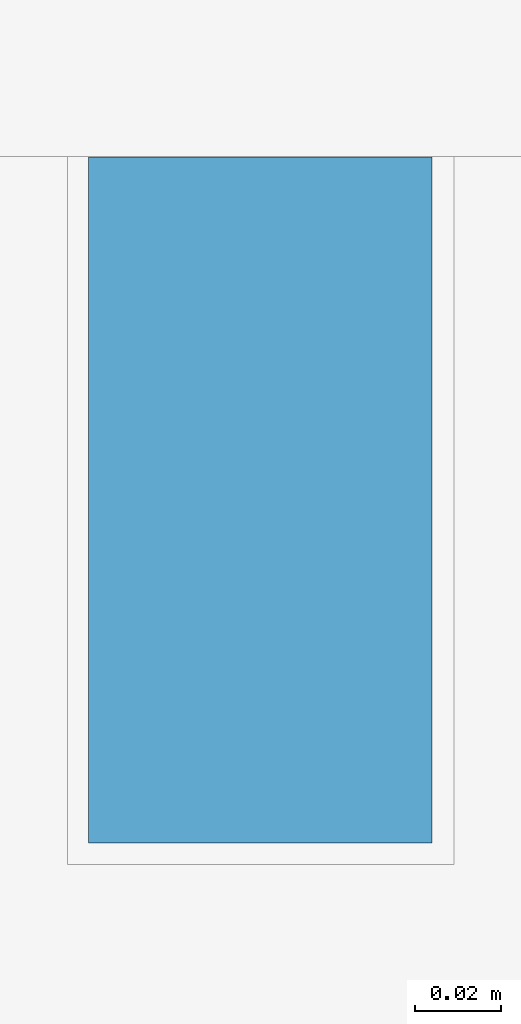
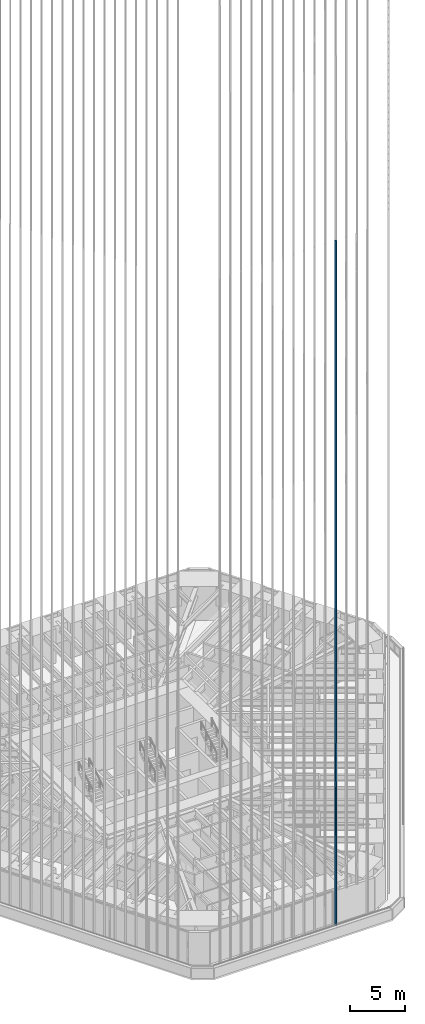
# One storey, part 62 of 238: 1 member, 1 element without a shape of its own.
"""IFC4 building model written with IfcOpenShell, lengths in metres."""

from ifc_helpers import new_model, si_unit, direction, frame, origin, origin_2d, place, context, subcontext, project, spatial, rectangle, extrude, material, material_profile, profile_set, type_object, element, aggregate, save


model = new_model("IFC4")

# Units and contexts
model_context = context("Model", 3, precision=1e-05, world=origin(), true_north=direction((0.0, 1.0)))
body_context = subcontext(model_context, "Body", "Model", "MODEL_VIEW")
ifc_project = project(units=[si_unit("LENGTHUNIT", "METRE"), si_unit("AREAUNIT", "SQUARE_METRE"), si_unit("VOLUMEUNIT", "CUBIC_METRE"), si_unit("PLANEANGLEUNIT", "RADIAN"), si_unit("MASSUNIT", "GRAM", prefix="KILO")], contexts=[model_context])

# Site, building, storey
site_placement = place(None, origin())
site = spatial("IfcSite", under=ifc_project, at=site_placement, CompositionType="ELEMENT")
building_placement = place(site_placement, origin())
building = spatial("IfcBuilding", under=site, at=building_placement, Name="Sandreach Pilgrim Tower", CompositionType="ELEMENT")
storey_placement = place(building_placement, frame((0.0, 0.0, 96.800048828125)))
storey = spatial("IfcBuildingStorey", under=building, at=storey_placement, Name="L23", CompositionType="ELEMENT", Elevation=96.800048828125)

# Curtain wall, member
ifc_material_1 = material(Name="Aluminium framed curtain wall", Category="aluminium")
curtain_wall_type = type_object("IfcCurtainWallType", Name="Hotel tower curtain wall", PredefinedType="NOTDEFINED", material=ifc_material_1)
curtain_wall_placement = place(storey_placement, origin())
curtain_wall = element("IfcCurtainWall", 1, at=curtain_wall_placement, inside=storey, type_object=curtain_wall_type, Name="CW-2 L23 SA", PredefinedType="NOTDEFINED")
ifc_material_2 = material(Name="Extruded terracotta on aluminium core", Category="masonry")
ifc_material_profile = material_profile(ifc_material_2, rectangle(XDim=0.080078125, YDim=0.159912109375, at=origin_2d()), Name="TBS 80X160")
ifc_profile_set = profile_set([ifc_material_profile], Name="Extruded terracotta on aluminium core")
member_type = type_object("IfcMemberType", Name="Terracotta baguette south", PredefinedType="USERDEFINED", material=ifc_profile_set)
member_placement = place(storey_placement, frame((4.415283203125, -28.572265625, 0.0), z_axis=(0.0, 0.0, 1.0), x_axis=(-1.0, 0.0, 0.0)))
member = element("IfcMember", 2, at=member_placement, type_object=member_type, Name="Baguette Z2 S04", ObjectType="BAGUETTE", PredefinedType="USERDEFINED", context=body_context, shape_type="SweptSolid", body=[
    extrude(rectangle(XDim=0.080078125, YDim=0.159912109375, at=origin_2d()), origin(), (0.0, 0.0, 1.0), 75.83984375),
])
aggregate(curtain_wall, [member])

save(model, "model.ifc")
